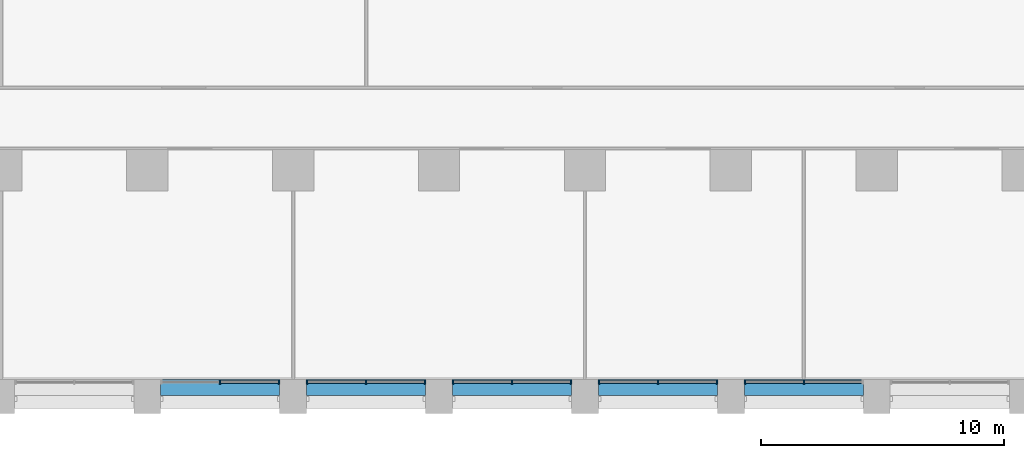
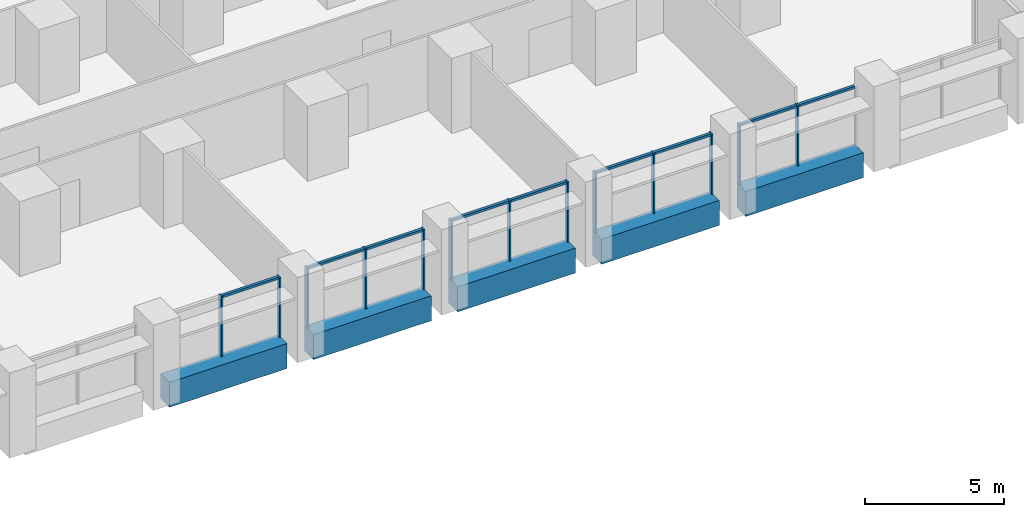
# One storey, part 3 of 18: 22 members, 5 beams, 5 elements without a shape of their own.
"""IFC4 building model written with IfcOpenShell, lengths in metres."""

from ifc_helpers import new_model, si_unit, direction, frame, origin, origin_2d, place, context, subcontext, project, spatial, rectangle, extrude, material, material_profile, profile_set, type_object, element, aggregate, save


model = new_model("IFC4")

# Units and contexts
model_context = context("Model", 3, precision=1e-05, world=origin(), true_north=direction((0.0, 1.0)))
body_context = subcontext(model_context, "Body", "Model", "MODEL_VIEW")
ifc_project = project(units=[si_unit("LENGTHUNIT", "METRE"), si_unit("AREAUNIT", "SQUARE_METRE"), si_unit("VOLUMEUNIT", "CUBIC_METRE"), si_unit("PLANEANGLEUNIT", "RADIAN"), si_unit("MASSUNIT", "GRAM", prefix="KILO")], contexts=[model_context])

# Site, building, storey
site_placement = place(None, origin())
site = spatial("IfcSite", under=ifc_project, at=site_placement, CompositionType="ELEMENT")
building_placement = place(site_placement, origin())
building = spatial("IfcBuilding", under=site, at=building_placement, Name="Calvaro Tower", CompositionType="ELEMENT")
storey_placement = place(building_placement, frame((0.0, 0.0, 52.5)))
storey = spatial("IfcBuildingStorey", under=building, at=storey_placement, Name="L12", CompositionType="ELEMENT", Elevation=52.5)

# Curtain wall, members
ifc_material_1 = material(Name="Anodised aluminium", Category="aluminium")
curtain_wall_type = type_object("IfcCurtainWallType", Name="Office curtain wall, lower zone", PredefinedType="NOTDEFINED", material=ifc_material_1)
curtain_wall_1_placement = place(storey_placement, origin())
curtain_wall_1 = element("IfcCurtainWall", 1, at=curtain_wall_1_placement, inside=storey, type_object=curtain_wall_type, Name="CW1 south curtain wall", PredefinedType="NOTDEFINED")
ifc_material_2 = material(Name="Anodised aluminium", Category="aluminium")
ifc_material_profile_1 = material_profile(ifc_material_2, rectangle(XDim=0.199951171875, YDim=0.06005859375, at=origin_2d()), Name="Mullion S1 60 x 200")
ifc_profile_set_1 = profile_set([ifc_material_profile_1], Name="Anodised aluminium")
member_type_1 = type_object("IfcMemberType", Name="Mullion S1 60 x 200", PredefinedType="MULLION", material=ifc_profile_set_1)
member_1_placement = place(storey_placement, frame((39.0, 1.300048828125, 0.0), z_axis=(0.0, 0.0, 1.0), x_axis=(0.0, 1.0, 0.0)))
member_1 = element("IfcMember", 2, at=member_1_placement, type_object=member_type_1, Name="CW1 mullion 2", PredefinedType="MULLION", context=body_context, shape_type="SweptSolid", body=[
    extrude(rectangle(XDim=0.199951171875, YDim=0.06005859375, at=origin_2d()), origin(), (0.0, 0.0, 1.0), 2.64990234375),
])
member_2_placement = place(storey_placement, frame((41.419921875, 1.300048828125, 0.0), z_axis=(0.0, 0.0, 1.0), x_axis=(0.0, 1.0, 0.0)))
member_2 = element("IfcMember", 3, at=member_2_placement, type_object=member_type_1, Name="CW1 mullion 3", PredefinedType="MULLION", context=body_context, shape_type="SweptSolid", body=[
    extrude(rectangle(XDim=0.199951171875, YDim=0.06005859375, at=origin_2d()), origin(), (0.0, 0.0, 1.0), 2.64990234375),
])

curtain_wall_2_placement = place(storey_placement, origin())
curtain_wall_2 = element("IfcCurtainWall", 4, at=curtain_wall_2_placement, inside=storey, type_object=curtain_wall_type, Name="CW1 south curtain wall", PredefinedType="NOTDEFINED")
member_3_placement = place(storey_placement, frame((42.580078125, 1.300048828125, 0.0), z_axis=(0.0, 0.0, 1.0), x_axis=(0.0, 1.0, 0.0)))
member_3 = element("IfcMember", 5, at=member_3_placement, type_object=member_type_1, Name="CW1 mullion 1", PredefinedType="MULLION", context=body_context, shape_type="SweptSolid", body=[
    extrude(rectangle(XDim=0.199951171875, YDim=0.06005859375, at=origin_2d()), origin(), (0.0, 0.0, 1.0), 2.64990234375),
])
member_4_placement = place(storey_placement, frame((45.0, 1.300048828125, 0.0), z_axis=(0.0, 0.0, 1.0), x_axis=(0.0, 1.0, 0.0)))
member_4 = element("IfcMember", 6, at=member_4_placement, type_object=member_type_1, Name="CW1 mullion 2", PredefinedType="MULLION", context=body_context, shape_type="SweptSolid", body=[
    extrude(rectangle(XDim=0.199951171875, YDim=0.06005859375, at=origin_2d()), origin(), (0.0, 0.0, 1.0), 2.64990234375),
])
member_5_placement = place(storey_placement, frame((47.419921875, 1.300048828125, 0.0), z_axis=(0.0, 0.0, 1.0), x_axis=(0.0, 1.0, 0.0)))
member_5 = element("IfcMember", 7, at=member_5_placement, type_object=member_type_1, Name="CW1 mullion 3", PredefinedType="MULLION", context=body_context, shape_type="SweptSolid", body=[
    extrude(rectangle(XDim=0.199951171875, YDim=0.06005859375, at=origin_2d()), origin(), (0.0, 0.0, 1.0), 2.64990234375),
])

curtain_wall_3_placement = place(storey_placement, origin())
curtain_wall_3 = element("IfcCurtainWall", 8, at=curtain_wall_3_placement, inside=storey, type_object=curtain_wall_type, Name="CW1 south curtain wall", PredefinedType="NOTDEFINED")
member_6_placement = place(storey_placement, frame((48.580078125, 1.300048828125, 0.0), z_axis=(0.0, 0.0, 1.0), x_axis=(0.0, 1.0, 0.0)))
member_6 = element("IfcMember", 9, at=member_6_placement, type_object=member_type_1, Name="CW1 mullion 1", PredefinedType="MULLION", context=body_context, shape_type="SweptSolid", body=[
    extrude(rectangle(XDim=0.199951171875, YDim=0.06005859375, at=origin_2d()), origin(), (0.0, 0.0, 1.0), 2.64990234375),
])
member_7_placement = place(storey_placement, frame((51.0, 1.300048828125, 0.0), z_axis=(0.0, 0.0, 1.0), x_axis=(0.0, 1.0, 0.0)))
member_7 = element("IfcMember", 10, at=member_7_placement, type_object=member_type_1, Name="CW1 mullion 2", PredefinedType="MULLION", context=body_context, shape_type="SweptSolid", body=[
    extrude(rectangle(XDim=0.199951171875, YDim=0.06005859375, at=origin_2d()), origin(), (0.0, 0.0, 1.0), 2.64990234375),
])
member_8_placement = place(storey_placement, frame((53.419921875, 1.300048828125, 0.0), z_axis=(0.0, 0.0, 1.0), x_axis=(0.0, 1.0, 0.0)))
member_8 = element("IfcMember", 11, at=member_8_placement, type_object=member_type_1, Name="CW1 mullion 3", PredefinedType="MULLION", context=body_context, shape_type="SweptSolid", body=[
    extrude(rectangle(XDim=0.199951171875, YDim=0.06005859375, at=origin_2d()), origin(), (0.0, 0.0, 1.0), 2.64990234375),
])

curtain_wall_4_placement = place(storey_placement, origin())
curtain_wall_4 = element("IfcCurtainWall", 12, at=curtain_wall_4_placement, inside=storey, type_object=curtain_wall_type, Name="CW1 south curtain wall", PredefinedType="NOTDEFINED")
member_9_placement = place(storey_placement, frame((54.580078125, 1.300048828125, 0.0), z_axis=(0.0, 0.0, 1.0), x_axis=(0.0, 1.0, 0.0)))
member_9 = element("IfcMember", 13, at=member_9_placement, type_object=member_type_1, Name="CW1 mullion 1", PredefinedType="MULLION", context=body_context, shape_type="SweptSolid", body=[
    extrude(rectangle(XDim=0.199951171875, YDim=0.06005859375, at=origin_2d()), origin(), (0.0, 0.0, 1.0), 2.64990234375),
])
member_10_placement = place(storey_placement, frame((57.0, 1.300048828125, 0.0), z_axis=(0.0, 0.0, 1.0), x_axis=(0.0, 1.0, 0.0)))
member_10 = element("IfcMember", 14, at=member_10_placement, type_object=member_type_1, Name="CW1 mullion 2", PredefinedType="MULLION", context=body_context, shape_type="SweptSolid", body=[
    extrude(rectangle(XDim=0.199951171875, YDim=0.06005859375, at=origin_2d()), origin(), (0.0, 0.0, 1.0), 2.64990234375),
])
member_11_placement = place(storey_placement, frame((59.419921875, 1.300048828125, 0.0), z_axis=(0.0, 0.0, 1.0), x_axis=(0.0, 1.0, 0.0)))
member_11 = element("IfcMember", 15, at=member_11_placement, type_object=member_type_1, Name="CW1 mullion 3", PredefinedType="MULLION", context=body_context, shape_type="SweptSolid", body=[
    extrude(rectangle(XDim=0.199951171875, YDim=0.06005859375, at=origin_2d()), origin(), (0.0, 0.0, 1.0), 2.64990234375),
])

curtain_wall_5_placement = place(storey_placement, origin())
curtain_wall_5 = element("IfcCurtainWall", 16, at=curtain_wall_5_placement, inside=storey, type_object=curtain_wall_type, Name="CW1 south curtain wall", PredefinedType="NOTDEFINED")
member_12_placement = place(storey_placement, frame((60.580078125, 1.300048828125, 0.0), z_axis=(0.0, 0.0, 1.0), x_axis=(0.0, 1.0, 0.0)))
member_12 = element("IfcMember", 17, at=member_12_placement, type_object=member_type_1, Name="CW1 mullion 1", PredefinedType="MULLION", context=body_context, shape_type="SweptSolid", body=[
    extrude(rectangle(XDim=0.199951171875, YDim=0.06005859375, at=origin_2d()), origin(), (0.0, 0.0, 1.0), 2.64990234375),
])
member_13_placement = place(storey_placement, frame((63.0, 1.300048828125, 0.0), z_axis=(0.0, 0.0, 1.0), x_axis=(0.0, 1.0, 0.0)))
member_13 = element("IfcMember", 18, at=member_13_placement, type_object=member_type_1, Name="CW1 mullion 2", PredefinedType="MULLION", context=body_context, shape_type="SweptSolid", body=[
    extrude(rectangle(XDim=0.199951171875, YDim=0.06005859375, at=origin_2d()), origin(), (0.0, 0.0, 1.0), 2.64990234375),
])

# Beams
ifc_material_3 = material(Name="Concrete C50/60 precast", Category="concrete")
ifc_material_profile_2 = material_profile(ifc_material_3, rectangle(XDim=0.64990234375, YDim=1.10009765625, at=origin_2d()), Name="RC 650x1100")
ifc_profile_set_2 = profile_set([ifc_material_profile_2], Name="Concrete C50/60 precast")
beam_type = type_object("IfcBeamType", Name="Spandrel beam 650x1100 C50/60", PredefinedType="SPANDREL", material=ifc_profile_set_2)
for number, where, z_axis, x_axis, name in (
    (19, (36.550048828125, 1.074951171875, -0.550048828125), (1.0, 0.0, 0.0), (0.0, 1.0, 0.0), "Spandrel beam"),
    (20, (42.550048828125, 1.074951171875, -0.550048828125), (1.0, 0.0, 0.0), (0.0, 1.0, 0.0), "Spandrel beam"),
    (21, (48.550048828125, 1.074951171875, -0.550048828125), (1.0, 0.0, 0.0), (0.0, 1.0, 0.0), "Spandrel beam"),
    (22, (54.550048828125, 1.074951171875, -0.550048828125), (1.0, 0.0, 0.0), (0.0, 1.0, 0.0), "Spandrel beam"),
    (23, (60.550048828125, 1.074951171875, -0.550048828125), (1.0, 0.0, 0.0), (0.0, 1.0, 0.0), "Spandrel beam"),
):
    element("IfcBeam", number, at=place(storey_placement, frame(where, z_axis=z_axis, x_axis=x_axis)), inside=storey, type_object=beam_type, Name=name, PredefinedType="SPANDREL", context=body_context, shape_type="SweptSolid", body=[
        extrude(rectangle(XDim=0.64990234375, YDim=1.10009765625, at=origin_2d()), origin(), (0.0, 0.0, 1.0), 4.89990234375),
    ])

# Member
ifc_material_4 = material(Name="Anodised aluminium", Category="aluminium")
ifc_material_profile_3 = material_profile(ifc_material_4, rectangle(XDim=0.1201171875, YDim=0.10009765625, at=origin_2d()), Name="Transom S1 100 x 120")
ifc_profile_set_3 = profile_set([ifc_material_profile_3], Name="Anodised aluminium")
member_type_2 = type_object("IfcMemberType", Name="Transom S1 100 x 120", PredefinedType="USERDEFINED", material=ifc_profile_set_3)
member_14_placement = place(storey_placement, frame((39.030029296875, 1.300048828125, 2.60009765625), z_axis=(1.0, 0.0, 0.0), x_axis=(0.0, 1.0, 0.0)))
member_14 = element("IfcMember", 24, at=member_14_placement, type_object=member_type_2, Name="CW1 transom 2.1", ObjectType="TRANSOM", PredefinedType="USERDEFINED", context=body_context, shape_type="SweptSolid", body=[
    extrude(rectangle(XDim=0.1201171875, YDim=0.10009765625, at=origin_2d()), origin(), (0.0, 0.0, 1.0), 2.35986328125),
])

aggregate(curtain_wall_1, [member_1, member_2, member_14])

member_15_placement = place(storey_placement, frame((42.610107421875, 1.300048828125, 2.60009765625), z_axis=(1.0, 0.0, 0.0), x_axis=(0.0, 1.0, 0.0)))
member_15 = element("IfcMember", 25, at=member_15_placement, type_object=member_type_2, Name="CW1 transom 1.1", ObjectType="TRANSOM", PredefinedType="USERDEFINED", context=body_context, shape_type="SweptSolid", body=[
    extrude(rectangle(XDim=0.1201171875, YDim=0.10009765625, at=origin_2d()), origin(), (0.0, 0.0, 1.0), 2.35986328125),
])

member_16_placement = place(storey_placement, frame((45.030029296875, 1.300048828125, 2.60009765625), z_axis=(1.0, 0.0, 0.0), x_axis=(0.0, 1.0, 0.0)))
member_16 = element("IfcMember", 26, at=member_16_placement, type_object=member_type_2, Name="CW1 transom 2.1", ObjectType="TRANSOM", PredefinedType="USERDEFINED", context=body_context, shape_type="SweptSolid", body=[
    extrude(rectangle(XDim=0.1201171875, YDim=0.10009765625, at=origin_2d()), origin(), (0.0, 0.0, 1.0), 2.35986328125),
])

aggregate(curtain_wall_2, [member_3, member_4, member_5, member_15, member_16])

member_17_placement = place(storey_placement, frame((48.610107421875, 1.300048828125, 2.60009765625), z_axis=(1.0, 0.0, 0.0), x_axis=(0.0, 1.0, 0.0)))
member_17 = element("IfcMember", 27, at=member_17_placement, type_object=member_type_2, Name="CW1 transom 1.1", ObjectType="TRANSOM", PredefinedType="USERDEFINED", context=body_context, shape_type="SweptSolid", body=[
    extrude(rectangle(XDim=0.1201171875, YDim=0.10009765625, at=origin_2d()), origin(), (0.0, 0.0, 1.0), 2.35986328125),
])

member_18_placement = place(storey_placement, frame((51.030029296875, 1.300048828125, 2.60009765625), z_axis=(1.0, 0.0, 0.0), x_axis=(0.0, 1.0, 0.0)))
member_18 = element("IfcMember", 28, at=member_18_placement, type_object=member_type_2, Name="CW1 transom 2.1", ObjectType="TRANSOM", PredefinedType="USERDEFINED", context=body_context, shape_type="SweptSolid", body=[
    extrude(rectangle(XDim=0.1201171875, YDim=0.10009765625, at=origin_2d()), origin(), (0.0, 0.0, 1.0), 2.35986328125),
])

aggregate(curtain_wall_3, [member_6, member_7, member_8, member_17, member_18])

member_19_placement = place(storey_placement, frame((54.610107421875, 1.300048828125, 2.60009765625), z_axis=(1.0, 0.0, 0.0), x_axis=(0.0, 1.0, 0.0)))
member_19 = element("IfcMember", 29, at=member_19_placement, type_object=member_type_2, Name="CW1 transom 1.1", ObjectType="TRANSOM", PredefinedType="USERDEFINED", context=body_context, shape_type="SweptSolid", body=[
    extrude(rectangle(XDim=0.1201171875, YDim=0.10009765625, at=origin_2d()), origin(), (0.0, 0.0, 1.0), 2.35986328125),
])

member_20_placement = place(storey_placement, frame((57.030029296875, 1.300048828125, 2.60009765625), z_axis=(1.0, 0.0, 0.0), x_axis=(0.0, 1.0, 0.0)))
member_20 = element("IfcMember", 30, at=member_20_placement, type_object=member_type_2, Name="CW1 transom 2.1", ObjectType="TRANSOM", PredefinedType="USERDEFINED", context=body_context, shape_type="SweptSolid", body=[
    extrude(rectangle(XDim=0.1201171875, YDim=0.10009765625, at=origin_2d()), origin(), (0.0, 0.0, 1.0), 2.35986328125),
])

aggregate(curtain_wall_4, [member_9, member_10, member_11, member_19, member_20])

member_21_placement = place(storey_placement, frame((60.610107421875, 1.300048828125, 2.60009765625), z_axis=(1.0, 0.0, 0.0), x_axis=(0.0, 1.0, 0.0)))
member_21 = element("IfcMember", 31, at=member_21_placement, type_object=member_type_2, Name="CW1 transom 1.1", ObjectType="TRANSOM", PredefinedType="USERDEFINED", context=body_context, shape_type="SweptSolid", body=[
    extrude(rectangle(XDim=0.1201171875, YDim=0.10009765625, at=origin_2d()), origin(), (0.0, 0.0, 1.0), 2.35986328125),
])

member_22_placement = place(storey_placement, frame((63.030029296875, 1.300048828125, 2.60009765625), z_axis=(1.0, 0.0, 0.0), x_axis=(0.0, 1.0, 0.0)))
member_22 = element("IfcMember", 32, at=member_22_placement, type_object=member_type_2, Name="CW1 transom 2.1", ObjectType="TRANSOM", PredefinedType="USERDEFINED", context=body_context, shape_type="SweptSolid", body=[
    extrude(rectangle(XDim=0.1201171875, YDim=0.10009765625, at=origin_2d()), origin(), (0.0, 0.0, 1.0), 2.35986328125),
])

aggregate(curtain_wall_5, [member_12, member_13, member_21, member_22])

save(model, "model.ifc")
